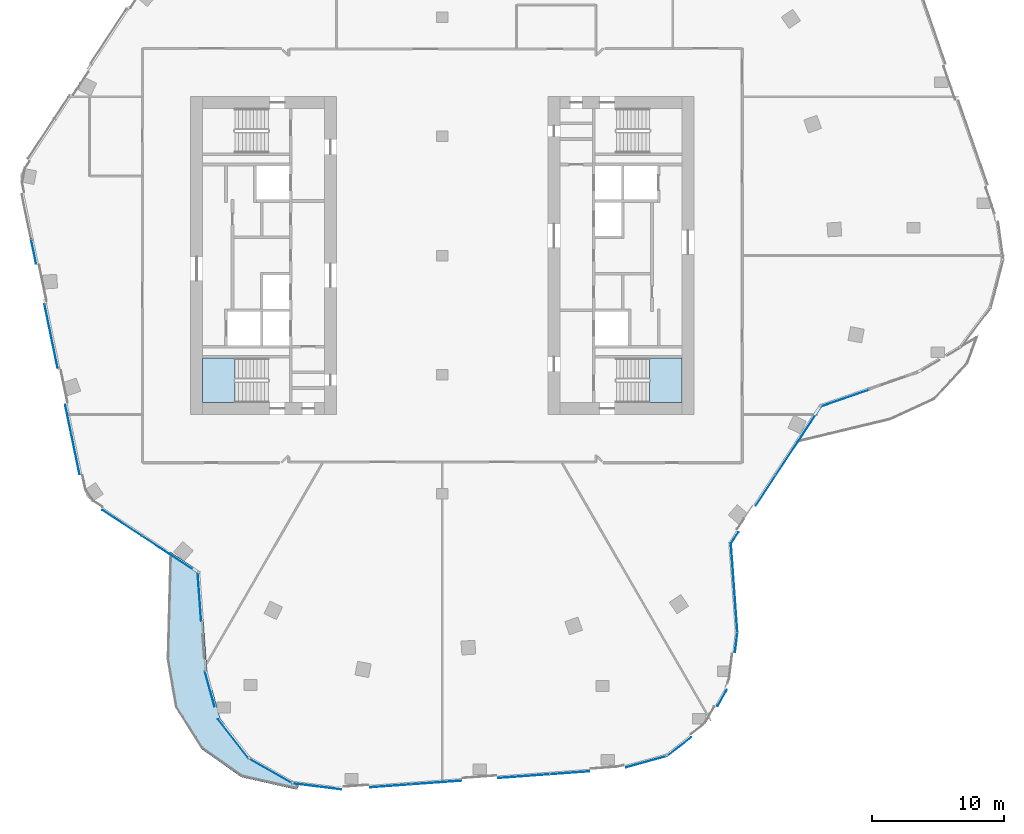
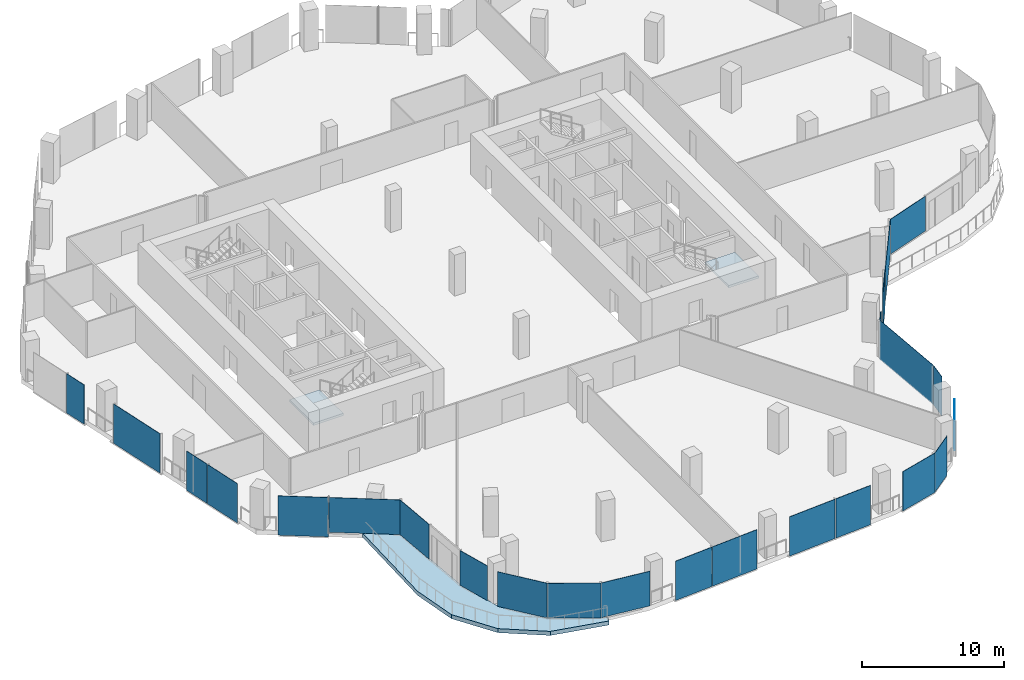
# One storey, part 12 of 26: 24 plates, 3 slabs, 17 elements without a shape of their own.
"""IFC4 building model written with IfcOpenShell, lengths in metres."""

from ifc_helpers import new_model, si_unit, direction, frame, origin, origin_2d, place, context, subcontext, project, spatial, polyline, rectangle, outline, extrude, material, layer, layer_set, type_object, element, aggregate, save


model = new_model("IFC4")

# Units and contexts
model_context = context("Model", 3, precision=1e-05, world=origin(), true_north=direction((0.0, 1.0)))
body_context = subcontext(model_context, "Body", "Model", "MODEL_VIEW")
ifc_project = project(units=[si_unit("LENGTHUNIT", "METRE"), si_unit("AREAUNIT", "SQUARE_METRE"), si_unit("VOLUMEUNIT", "CUBIC_METRE"), si_unit("PLANEANGLEUNIT", "RADIAN"), si_unit("MASSUNIT", "GRAM", prefix="KILO")], contexts=[model_context])

# Site, building, storey
site_placement = place(None, origin())
site = spatial("IfcSite", under=ifc_project, at=site_placement, CompositionType="ELEMENT")
building_placement = place(site_placement, origin())
building = spatial("IfcBuilding", under=site, at=building_placement, Name="Orlundy Tower", CompositionType="ELEMENT")
storey_placement = place(building_placement, frame((0.0, 0.0, 232.0)))
storey = spatial("IfcBuildingStorey", under=building, at=storey_placement, Name="L61", CompositionType="ELEMENT", Elevation=232.0)

# Curtain wall, plate
ifc_material_1 = material(Name="Aluminium bronze anodised", Category="aluminium")
curtain_wall_type = type_object("IfcCurtainWallType", Name="CW1 wall", PredefinedType="NOTDEFINED", material=ifc_material_1)
curtain_wall_1_placement = place(storey_placement, origin())
curtain_wall_1 = element("IfcCurtainWall", 1, at=curtain_wall_1_placement, inside=storey, type_object=curtain_wall_type, Name="CW1 run 00", PredefinedType="NOTDEFINED")
ifc_material_2 = material(Name="Tinted glass", Category="glass")
ifc_layer_1 = layer(ifc_material_2, 0.031982421875)
ifc_layer_set_1 = layer_set([ifc_layer_1], Name="CW1 glass panel 32")
plate_type = type_object("IfcPlateType", Name="CW1 glass panel 32", PredefinedType="CURTAIN_PANEL", material=ifc_layer_set_1)
plate_1_placement = place(storey_placement, frame((30.401611328125, -10.780029296875, 0.1201171875), z_axis=(0.0, 0.0, 1.0), x_axis=(-0.944599002584, -0.328226635601, 0.0)))
plate_1 = element("IfcPlate", 2, at=plate_1_placement, type_object=plate_type, Name="CW1 panel", PredefinedType="CURTAIN_PANEL", context=body_context, shape_type="SweptSolid", body=[
    extrude(rectangle(XDim=3.8115234375, YDim=0.031982421875, at=origin_2d()), origin(), (0.0, 0.0, 1.0), 2.97998046875),
])
aggregate(curtain_wall_1, [plate_1])

# Curtain wall, plates
curtain_wall_2_placement = place(storey_placement, origin())
curtain_wall_2 = element("IfcCurtainWall", 3, at=curtain_wall_2_placement, inside=storey, type_object=curtain_wall_type, Name="CW1 run 01", PredefinedType="NOTDEFINED")
plate_2_placement = place(storey_placement, frame((26.908447265625, -13.97998046875, 0.1201171875), z_axis=(0.0, 0.0, 1.0), x_axis=(-0.549495877226, -0.835496427827, 0.0)))
plate_2 = element("IfcPlate", 4, at=plate_2_placement, type_object=plate_type, Name="CW1 panel", PredefinedType="CURTAIN_PANEL", context=body_context, shape_type="SweptSolid", body=[
    extrude(rectangle(XDim=6.162353515625, YDim=0.031982421875, at=origin_2d()), origin(), (0.0, 0.0, 1.0), 2.97998046875),
])
plate_3_placement = place(storey_placement, frame((24.433349609375, -17.7431640625, -0.280029296875), z_axis=(0.0, 0.0, 1.0), x_axis=(-0.549495877226, -0.835496427827, 0.0)))
plate_3 = element("IfcPlate", 5, at=plate_3_placement, type_object=plate_type, Name="CW1 panel", PredefinedType="CURTAIN_PANEL", context=body_context, shape_type="SweptSolid", body=[
    extrude(rectangle(XDim=2.74609375, YDim=0.031982421875, at=origin_2d()), origin(), (0.0, 0.0, 1.0), 3.3798828125),
])
plate_4_placement = place(storey_placement, frame((22.081787109375, -21.31884765625, -0.280029296875), z_axis=(0.0, 0.0, 1.0), x_axis=(-0.549495877226, -0.835496427827, 0.0)))
plate_4 = element("IfcPlate", 6, at=plate_4_placement, type_object=plate_type, Name="CW1 panel", PredefinedType="CURTAIN_PANEL", context=body_context, shape_type="SweptSolid", body=[
    extrude(rectangle(XDim=1.01953125, YDim=0.031982421875, at=origin_2d()), origin(), (0.0, 0.0, 1.0), 3.3798828125),
])
aggregate(curtain_wall_2, [plate_2, plate_3, plate_4])

# Curtain wall, plate
curtain_wall_3_placement = place(storey_placement, origin())
curtain_wall_3 = element("IfcCurtainWall", 7, at=curtain_wall_3_placement, inside=storey, type_object=curtain_wall_type, Name="CW1 run 02", PredefinedType="NOTDEFINED")
plate_5_placement = place(storey_placement, frame((22.045654296875, -25.095947265625, -0.280029296875), z_axis=(0.0, 0.0, 1.0), x_axis=(0.072660980026, -0.997356697467, 0.0)))
plate_5 = element("IfcPlate", 8, at=plate_5_placement, type_object=plate_type, Name="CW1 panel", PredefinedType="CURTAIN_PANEL", context=body_context, shape_type="SweptSolid", body=[
    extrude(rectangle(XDim=6.72021484375, YDim=0.031982421875, at=origin_2d()), origin(), (0.0, 0.0, 1.0), 3.3798828125),
])
aggregate(curtain_wall_3, [plate_5])

curtain_wall_4_placement = place(storey_placement, origin())
curtain_wall_4 = element("IfcCurtainWall", 9, at=curtain_wall_4_placement, inside=storey, type_object=curtain_wall_type, Name="CW1 run 03", PredefinedType="NOTDEFINED")
plate_6_placement = place(storey_placement, frame((22.1982421875, -29.224365234375, -0.280029296875), z_axis=(0.0, 0.0, 1.0), x_axis=(-0.12330413281, -0.992368928792, 0.0)))
plate_6 = element("IfcPlate", 10, at=plate_6_placement, type_object=plate_type, Name="CW1 panel", PredefinedType="CURTAIN_PANEL", context=body_context, shape_type="SweptSolid", body=[
    extrude(rectangle(XDim=1.465576171875, YDim=0.031982421875, at=origin_2d()), origin(), (0.0, 0.0, 1.0), 3.3798828125),
])
aggregate(curtain_wall_4, [plate_6])

curtain_wall_5_placement = place(storey_placement, origin())
curtain_wall_5 = element("IfcCurtainWall", 11, at=curtain_wall_5_placement, inside=storey, type_object=curtain_wall_type, Name="CW1 run 04", PredefinedType="NOTDEFINED")
plate_7_placement = place(storey_placement, frame((21.138427734375, -33.414306640625, -0.280029296875), z_axis=(0.0, 0.0, 1.0), x_axis=(-0.493754430095, -0.869601381531, 0.0)))
plate_7 = element("IfcPlate", 12, at=plate_7_placement, type_object=plate_type, Name="CW1 panel", PredefinedType="CURTAIN_PANEL", context=body_context, shape_type="SweptSolid", body=[
    extrude(rectangle(XDim=1.393310546875, YDim=0.031982421875, at=origin_2d()), origin(), (0.0, 0.0, 1.0), 3.3798828125),
])
aggregate(curtain_wall_5, [plate_7])

curtain_wall_6_placement = place(storey_placement, origin())
curtain_wall_6 = element("IfcCurtainWall", 13, at=curtain_wall_6_placement, inside=storey, type_object=curtain_wall_type, Name="CW1 run 05", PredefinedType="NOTDEFINED")
plate_8_placement = place(storey_placement, frame((17.896728515625, -37.0908203125, -0.280029296875), z_axis=(0.0, 0.0, 1.0), x_axis=(-0.788858043661, -0.614575452611, 0.0)))
plate_8 = element("IfcPlate", 14, at=plate_8_placement, type_object=plate_type, Name="CW1 panel", PredefinedType="CURTAIN_PANEL", context=body_context, shape_type="SweptSolid", body=[
    extrude(rectangle(XDim=2.2958984375, YDim=0.031982421875, at=origin_2d()), origin(), (0.0, 0.0, 1.0), 3.3798828125),
])
aggregate(curtain_wall_6, [plate_8])

curtain_wall_7_placement = place(storey_placement, origin())
curtain_wall_7 = element("IfcCurtainWall", 15, at=curtain_wall_7_placement, inside=storey, type_object=curtain_wall_type, Name="CW1 run 06", PredefinedType="NOTDEFINED")
plate_9_placement = place(storey_placement, frame((15.4443359375, -38.22314453125, -0.280029296875), z_axis=(0.0, 0.0, 1.0), x_axis=(-0.96398784948, -0.265946284152, 0.0)))
plate_9 = element("IfcPlate", 16, at=plate_9_placement, type_object=plate_type, Name="CW1 panel", PredefinedType="CURTAIN_PANEL", context=body_context, shape_type="SweptSolid", body=[
    extrude(rectangle(XDim=3.208984375, YDim=0.031982421875, at=origin_2d()), origin(), (0.0, 0.0, 1.0), 3.3798828125),
])
aggregate(curtain_wall_7, [plate_9])

# Curtain wall, plates
curtain_wall_8_placement = place(storey_placement, origin())
curtain_wall_8 = element("IfcCurtainWall", 17, at=curtain_wall_8_placement, inside=storey, type_object=curtain_wall_type, Name="CW1 run 07", PredefinedType="NOTDEFINED")
plate_10_placement = place(storey_placement, frame((9.62353515625, -39.068359375, -0.280029296875), z_axis=(0.0, 0.0, 1.0), x_axis=(-0.997356161969, -0.072668329988, 0.0)))
plate_10 = element("IfcPlate", 18, at=plate_10_placement, type_object=plate_type, Name="CW1 panel", PredefinedType="CURTAIN_PANEL", context=body_context, shape_type="SweptSolid", body=[
    extrude(rectangle(XDim=2.96923828125, YDim=0.031982421875, at=origin_2d()), origin(), (0.0, 0.0, 1.0), 3.3798828125),
])
plate_11_placement = place(storey_placement, frame((6.154296875, -39.321044921875, -0.280029296875), z_axis=(0.0, 0.0, 1.0), x_axis=(-0.997356161969, -0.072668329988, 0.0)))
plate_11 = element("IfcPlate", 19, at=plate_11_placement, type_object=plate_type, Name="CW1 panel", PredefinedType="CURTAIN_PANEL", context=body_context, shape_type="SweptSolid", body=[
    extrude(rectangle(XDim=3.8876953125, YDim=0.031982421875, at=origin_2d()), origin(), (0.0, 0.0, 1.0), 3.3798828125),
])
plate_12_placement = place(storey_placement, frame((-0.4462890625, -39.802001953125, -0.280029296875), z_axis=(0.0, 0.0, 1.0), x_axis=(-0.997356161969, -0.072668329988, 0.0)))
plate_12 = element("IfcPlate", 20, at=plate_12_placement, type_object=plate_type, Name="CW1 panel", PredefinedType="CURTAIN_PANEL", context=body_context, shape_type="SweptSolid", body=[
    extrude(rectangle(XDim=3.775634765625, YDim=0.031982421875, at=origin_2d()), origin(), (0.0, 0.0, 1.0), 3.3798828125),
])
plate_13_placement = place(storey_placement, frame((-3.91845703125, -40.054931640625, -0.280029296875), z_axis=(0.0, 0.0, 1.0), x_axis=(-0.997356161969, -0.072668329988, 0.0)))
plate_13 = element("IfcPlate", 21, at=plate_13_placement, type_object=plate_type, Name="CW1 panel", PredefinedType="CURTAIN_PANEL", context=body_context, shape_type="SweptSolid", body=[
    extrude(rectangle(XDim=3.0869140625, YDim=0.031982421875, at=origin_2d()), origin(), (0.0, 0.0, 1.0), 3.3798828125),
])
aggregate(curtain_wall_8, [plate_10, plate_11, plate_12, plate_13])

# Curtain wall, plate
curtain_wall_9_placement = place(storey_placement, origin())
curtain_wall_9 = element("IfcCurtainWall", 22, at=curtain_wall_9_placement, inside=storey, type_object=curtain_wall_type, Name="CW1 run 08", PredefinedType="NOTDEFINED")
plate_14_placement = place(storey_placement, frame((-9.482421875, -40.090087890625, 0.1201171875), z_axis=(0.0, 0.0, 1.0), x_axis=(-0.992339997357, 0.123536754229, 0.0)))
plate_14 = element("IfcPlate", 23, at=plate_14_placement, type_object=plate_type, Name="CW1 panel", PredefinedType="CURTAIN_PANEL", context=body_context, shape_type="SweptSolid", body=[
    extrude(rectangle(XDim=3.73095703125, YDim=0.031982421875, at=origin_2d()), origin(), (0.0, 0.0, 1.0), 2.97998046875),
])
aggregate(curtain_wall_9, [plate_14])

curtain_wall_10_placement = place(storey_placement, origin())
curtain_wall_10 = element("IfcCurtainWall", 24, at=curtain_wall_10_placement, inside=storey, type_object=curtain_wall_type, Name="CW1 run 09", PredefinedType="NOTDEFINED")
plate_15_placement = place(storey_placement, frame((-12.973388671875, -38.9287109375, 0.1201171875), z_axis=(0.0, 0.0, 1.0), x_axis=(-0.869601381531, 0.493754430095, 0.0)))
plate_15 = element("IfcPlate", 25, at=plate_15_placement, type_object=plate_type, Name="CW1 panel", PredefinedType="CURTAIN_PANEL", context=body_context, shape_type="SweptSolid", body=[
    extrude(rectangle(XDim=3.771484375, YDim=0.031982421875, at=origin_2d()), origin(), (0.0, 0.0, 1.0), 2.97998046875),
])
aggregate(curtain_wall_10, [plate_15])

curtain_wall_11_placement = place(storey_placement, origin())
curtain_wall_11 = element("IfcCurtainWall", 26, at=curtain_wall_11_placement, inside=storey, type_object=curtain_wall_type, Name="CW1 run 010", PredefinedType="NOTDEFINED")
plate_16_placement = place(storey_placement, frame((-15.7724609375, -36.509765625, 0.1201171875), z_axis=(0.0, 0.0, 1.0), x_axis=(-0.614575452611, 0.788858043661, 0.0)))
plate_16 = element("IfcPlate", 27, at=plate_16_placement, type_object=plate_type, Name="CW1 panel", PredefinedType="CURTAIN_PANEL", context=body_context, shape_type="SweptSolid", body=[
    extrude(rectangle(XDim=3.77197265625, YDim=0.031982421875, at=origin_2d()), origin(), (0.0, 0.0, 1.0), 2.97998046875),
])
aggregate(curtain_wall_11, [plate_16])

curtain_wall_12_placement = place(storey_placement, origin())
curtain_wall_12 = element("IfcCurtainWall", 28, at=curtain_wall_12_placement, inside=storey, type_object=curtain_wall_type, Name="CW1 run 011", PredefinedType="NOTDEFINED")
plate_17_placement = place(storey_placement, frame((-17.559814453125, -32.742431640625, 0.1201171875), z_axis=(0.0, 0.0, 1.0), x_axis=(-0.265764722051, 0.964037920682, 0.0)))
plate_17 = element("IfcPlate", 29, at=plate_17_placement, type_object=plate_type, Name="CW1 panel", PredefinedType="CURTAIN_PANEL", context=body_context, shape_type="SweptSolid", body=[
    extrude(rectangle(XDim=2.730712890625, YDim=0.031982421875, at=origin_2d()), origin(), (0.0, 0.0, 1.0), 2.97998046875),
])
aggregate(curtain_wall_12, [plate_17])

curtain_wall_13_placement = place(storey_placement, origin())
curtain_wall_13 = element("IfcCurtainWall", 30, at=curtain_wall_13_placement, inside=storey, type_object=curtain_wall_type, Name="CW1 run 012", PredefinedType="NOTDEFINED")
plate_18_placement = place(storey_placement, frame((-18.339599609375, -25.779052734375, 0.1201171875), z_axis=(0.0, 0.0, 1.0), x_axis=(-0.072746976548, 0.997350428587, 0.0)))
plate_18 = element("IfcPlate", 31, at=plate_18_placement, type_object=plate_type, Name="CW1 panel", PredefinedType="CURTAIN_PANEL", context=body_context, shape_type="SweptSolid", body=[
    extrude(rectangle(XDim=3.66064453125, YDim=0.031982421875, at=origin_2d()), origin(), (0.0, 0.0, 1.0), 2.97998046875),
])
aggregate(curtain_wall_13, [plate_18])

# Curtain wall, plates
curtain_wall_14_placement = place(storey_placement, origin())
curtain_wall_14 = element("IfcCurtainWall", 32, at=curtain_wall_14_placement, inside=storey, type_object=curtain_wall_type, Name="CW1 run 013", PredefinedType="NOTDEFINED")
plate_19_placement = place(storey_placement, frame((-20.56640625, -22.576416015625, 0.1201171875), z_axis=(0.0, 0.0, 1.0), x_axis=(-0.835476099694, 0.54952678446, 0.0)))
plate_19 = element("IfcPlate", 33, at=plate_19_placement, type_object=plate_type, Name="CW1 panel", PredefinedType="CURTAIN_PANEL", context=body_context, shape_type="SweptSolid", body=[
    extrude(rectangle(XDim=5.01220703125, YDim=0.031982421875, at=origin_2d()), origin(), (0.0, 0.0, 1.0), 2.97998046875),
])
plate_20_placement = place(storey_placement, frame((-24.17919921875, -20.2001953125, -0.280029296875), z_axis=(0.0, 0.0, 1.0), x_axis=(-0.835476099694, 0.54952678446, 0.0)))
plate_20 = element("IfcPlate", 34, at=plate_20_placement, type_object=plate_type, Name="CW1 panel", PredefinedType="CURTAIN_PANEL", context=body_context, shape_type="SweptSolid", body=[
    extrude(rectangle(XDim=3.536376953125, YDim=0.031982421875, at=origin_2d()), origin(), (0.0, 0.0, 1.0), 3.3798828125),
])
aggregate(curtain_wall_14, [plate_19, plate_20])

curtain_wall_15_placement = place(storey_placement, origin())
curtain_wall_15 = element("IfcCurtainWall", 35, at=curtain_wall_15_placement, inside=storey, type_object=curtain_wall_type, Name="CW1 run 014", PredefinedType="NOTDEFINED")
plate_21_placement = place(storey_placement, frame((-27.708984375, -14.9697265625, -0.280029296875), z_axis=(0.0, 0.0, 1.0), x_axis=(-0.202233038095, 0.979337428215, 0.0)))
plate_21 = element("IfcPlate", 36, at=plate_21_placement, type_object=plate_type, Name="CW1 panel", PredefinedType="CURTAIN_PANEL", context=body_context, shape_type="SweptSolid", body=[
    extrude(rectangle(XDim=3.15283203125, YDim=0.031982421875, at=origin_2d()), origin(), (0.0, 0.0, 1.0), 3.3798828125),
])
plate_22_placement = place(storey_placement, frame((-28.255615234375, -12.32177734375, -0.280029296875), z_axis=(0.0, 0.0, 1.0), x_axis=(-0.202233038095, 0.979337428215, 0.0)))
plate_22 = element("IfcPlate", 37, at=plate_22_placement, type_object=plate_type, Name="CW1 panel", PredefinedType="CURTAIN_PANEL", context=body_context, shape_type="SweptSolid", body=[
    extrude(rectangle(XDim=2.154541015625, YDim=0.031982421875, at=origin_2d()), origin(), (0.0, 0.0, 1.0), 3.3798828125),
])
plate_23_placement = place(storey_placement, frame((-29.54052734375, -6.099609375, -0.280029296875), z_axis=(0.0, 0.0, 1.0), x_axis=(-0.202233038095, 0.979337428215, 0.0)))
plate_23 = element("IfcPlate", 38, at=plate_23_placement, type_object=plate_type, Name="CW1 panel", PredefinedType="CURTAIN_PANEL", context=body_context, shape_type="SweptSolid", body=[
    extrude(rectangle(XDim=4.92041015625, YDim=0.031982421875, at=origin_2d()), origin(), (0.0, 0.0, 1.0), 3.3798828125),
])
plate_24_placement = place(storey_placement, frame((-30.857421875, 0.276611328125, -0.280029296875), z_axis=(0.0, 0.0, 1.0), x_axis=(-0.202233038095, 0.979337428215, 0.0)))
plate_24 = element("IfcPlate", 39, at=plate_24_placement, type_object=plate_type, Name="CW1 panel", PredefinedType="CURTAIN_PANEL", context=body_context, shape_type="SweptSolid", body=[
    extrude(rectangle(XDim=1.83984375, YDim=0.031982421875, at=origin_2d()), origin(), (0.0, 0.0, 1.0), 3.3798828125),
])
aggregate(curtain_wall_15, [plate_21, plate_22, plate_23, plate_24])

# Stair, slab
ifc_material_3 = material(Name="Concrete C50/60", Category="concrete")
stair_type = type_object("IfcStairType", Name="Exit Stair 20 risers", PredefinedType="HALF_TURN_STAIR", material=ifc_material_3)
stair_1_placement = place(storey_placement, origin())
stair_1 = element("IfcStair", 40, at=stair_1_placement, inside=storey, type_object=stair_type, Name="L61 Exit Stair ST-W2", PredefinedType="HALF_TURN_STAIR")
ifc_material_4 = material(Name="Concrete C50/60", Category="concrete")
ifc_layer_2 = layer(ifc_material_4, 0.199951171875)
ifc_layer_set_2 = layer_set([ifc_layer_2], Name="Exit Stair Landing")
slab_type_1 = type_object("IfcSlabType", Name="Exit Stair Landing", PredefinedType="LANDING", material=ifc_layer_set_2)
slab_1_placement = place(storey_placement, frame((0.0, 0.0, 1.550048828125)))
slab_1 = element("IfcSlab", 41, at=slab_1_placement, type_object=slab_type_1, Name="ST-W2 landing 1", PredefinedType="LANDING", context=body_context, shape_type="SweptSolid", body=[
    extrude(outline(polyline([(-15.659912109375, -7.75), (-18.10009765625, -7.75), (-18.10009765625, -11.10009765625), (-15.659912109375, -11.10009765625), (-15.659912109375, -7.75)])), origin(), (0.0, 0.0, 1.0), 0.199951171875),
])
aggregate(stair_1, [slab_1])

stair_2_placement = place(storey_placement, origin())
stair_2 = element("IfcStair", 42, at=stair_2_placement, inside=storey, type_object=stair_type, Name="L61 Exit Stair ST-E1", PredefinedType="HALF_TURN_STAIR")
slab_2_placement = place(storey_placement, frame((0.0, 0.0, 1.550048828125)))
slab_2 = element("IfcSlab", 43, at=slab_2_placement, type_object=slab_type_1, Name="ST-E1 landing 1", PredefinedType="LANDING", context=body_context, shape_type="SweptSolid", body=[
    extrude(outline(polyline([(15.659912109375, -11.10009765625), (18.10009765625, -11.10009765625), (18.10009765625, -7.75), (15.659912109375, -7.75), (15.659912109375, -11.10009765625)])), origin(), (0.0, 0.0, 1.0), 0.199951171875),
])
aggregate(stair_2, [slab_2])

# Slab
ifc_material_5 = material(Name="Concrete C45/55", Category="concrete")
ifc_layer_3 = layer(ifc_material_5, 0.35009765625)
ifc_layer_set_3 = layer_set([ifc_layer_3], Name="TERRACE SLAB 350 C45/55")
slab_type_2 = type_object("IfcSlabType", Name="TERRACE SLAB 350 C45/55", PredefinedType="ROOF", material=ifc_layer_set_3)
slab_3_placement = place(storey_placement, frame((0.0, 0.0, -0.35009765625)))
element("IfcSlab", 44, at=slab_3_placement, inside=storey, type_object=slab_type_2, Name="Terrace slab L61-2", PredefinedType="ROOF", context=body_context, shape_type="SweptSolid", body=[
    extrude(outline(polyline([(-20.592041015625, -22.364013671875), (-18.31494140625, -23.860107421875), (-17.76708984375, -31.3740234375), (-16.781982421875, -34.947021484375), (-14.50390625, -37.87109375), (-10.81396484375, -39.967041015625), (-10.9609375, -40.345947265625), (-15.172119140625, -39.39306640625), (-18.198974609375, -37.25390625), (-20.177001953125, -34.118896484375), (-20.804931640625, -30.466064453125), (-20.592041015625, -22.364013671875)])), origin(), (0.0, 0.0, 1.0), 0.35009765625),
])

save(model, "model.ifc")
